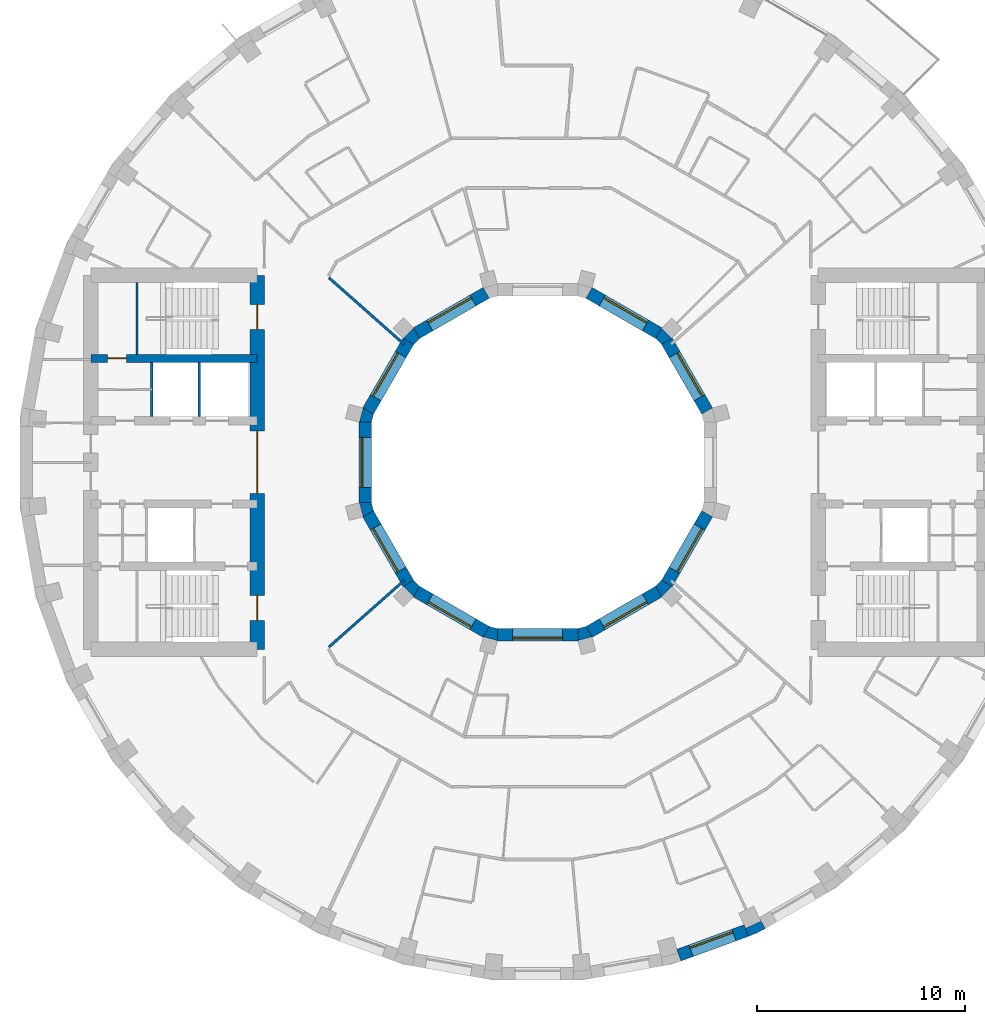
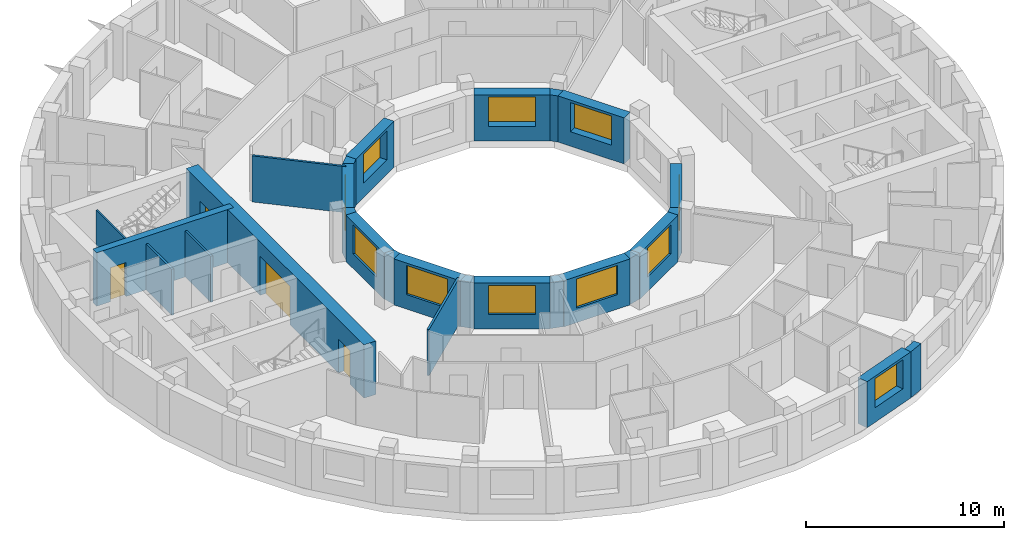
# One storey, part 6 of 13: 27 walls, 11 windows, 4 doors, 15 openings.
"""IFC4 building model written with IfcOpenShell, lengths in metres."""

from ifc_helpers import new_model, si_unit, direction, frame, frame_2d, origin, place, context, subcontext, project, spatial, polyline, rectangle, outline, extrude, material, layer, layer_set, type_object, element, fill, save


model = new_model("IFC4")

# Units and contexts
model_context = context("Model", 3, precision=1e-05, world=origin(), true_north=direction((0.0, 1.0)))
body_context = subcontext(model_context, "Body", "Model", "MODEL_VIEW")
ifc_project = project(units=[si_unit("LENGTHUNIT", "METRE"), si_unit("AREAUNIT", "SQUARE_METRE"), si_unit("VOLUMEUNIT", "CUBIC_METRE"), si_unit("PLANEANGLEUNIT", "RADIAN"), si_unit("MASSUNIT", "GRAM", prefix="KILO")], contexts=[model_context])

# Site, building, storey
site_placement = place(None, origin())
site = spatial("IfcSite", under=ifc_project, at=site_placement, CompositionType="ELEMENT")
building_placement = place(site_placement, origin())
building = spatial("IfcBuilding", under=site, at=building_placement, Name="Saqina Gate Tower", CompositionType="ELEMENT")
storey_placement = place(building_placement, frame((0.0, 0.0, 207.0)))
storey = spatial("IfcBuildingStorey", under=building, at=storey_placement, Name="L59", CompositionType="ELEMENT", Elevation=207.0)

# Wall
ifc_material_1 = material(Name="Brick masonry (buff)", Category="masonry")
wall_type_1 = type_object("IfcWallType", Name="BRICK PIER COPING BUFF", PredefinedType="SOLIDWALL", material=ifc_material_1)
wall_1_placement = place(storey_placement, origin())
element("IfcWall", 1, at=wall_1_placement, inside=storey, type_object=wall_type_1, Name="Pier cap L59 column 30", PredefinedType="SOLIDWALL", context=body_context, shape_type="SweptSolid", body=[
    extrude(outline(polyline([(10.958740234375, -22.4306640625), (10.65869140625, -21.9111328125), (10.73779296875, -22.080810546875), (10.0126953125, -22.4189453125), (9.93359375, -22.249267578125), (10.138916015625, -22.81298828125), (10.958740234375, -22.4306640625)])), origin(), (0.0, 0.0, 1.0), 2.85009765625),
])

# Wall, opening, window
ifc_material_2 = material(Name="Brick masonry (buff)", Category="masonry")
ifc_layer_1 = layer(ifc_material_2, 0.60009765625)
ifc_layer_set_1 = layer_set([ifc_layer_1], Name="FW-BRICK-BUFF")
wall_type_2 = type_object("IfcWallType", Name="FW-BRICK-BUFF", PredefinedType="SOLIDWALL", material=ifc_layer_set_1)
wall_2_placement = place(storey_placement, frame((6.79443359375, -23.7109375, 0.0), z_axis=(0.0, 0.0, 1.0), x_axis=(0.93968799822, 0.342032843455, 0.0)))
wall_2 = element("IfcWall", 2, at=wall_2_placement, inside=storey, type_object=wall_type_2, Name="Facade wall L59 facet 29", PredefinedType="SOLIDWALL", context=body_context, shape_type="SweptSolid", body=[
    extrude(rectangle(XDim=3.44970703125, YDim=0.60009765625, at=frame_2d((1.724853515625, 0.0))), origin(), (0.0, 0.0, 1.0), 2.85009765625),
])
opening_1_placement = place(wall_2_placement, frame((0.625, 0.0, 0.89990234375)))
opening_1 = element("IfcOpeningElement", 3, at=opening_1_placement, cuts=wall_2, Name="Opening G17-W18", PredefinedType="OPENING", context=body_context, shape_type="SweptSolid", body=[
    extrude(rectangle(XDim=2.199951171875, YDim=1.800048828125, at=frame_2d((1.10009765625, 0.89990234375))), frame((0.0, 0.31201171875, 0.0), z_axis=(0.0, -1.0, 0.0), x_axis=(1.0, 0.0, 0.0)), (0.0, 0.0, 1.0), 0.6240234375),
])
ifc_material_3 = material(Name="Aluminium glazing", Category="aluminium")
window_type_1 = type_object("IfcWindowType", Name="WN-C", PartitioningType="SINGLE_PANEL", PredefinedType="WINDOW", material=ifc_material_3)
window_1_placement = place(opening_1_placement, origin())
window_1 = element("IfcWindow", 4, at=window_1_placement, inside=storey, type_object=window_type_1, Name="Window L59 facet 29", OverallHeight=1.800048828125, OverallWidth=2.199951171875, PartitioningType="SINGLE_PANEL", PredefinedType="WINDOW", context=body_context, shape_type="SweptSolid", body=[
    extrude(rectangle(XDim=2.199951171875, YDim=1.800048828125, at=frame_2d((1.10009765625, 0.89990234375))), frame((0.0, 0.179931640625, 0.0), z_axis=(0.0, -1.0, 0.0), x_axis=(1.0, 0.0, 0.0)), (0.0, 0.0, 1.0), 0.06005859375),
])
fill(opening_1, window_1)

ifc_material_4 = material(Name="Glazed ceramic tile", Category="ceramic")
ifc_layer_2 = layer(ifc_material_4, 0.60009765625)
ifc_layer_set_2 = layer_set([ifc_layer_2], Name="IW-TILE")
wall_type_3 = type_object("IfcWallType", Name="IW-TILE", PredefinedType="SOLIDWALL", material=ifc_layer_set_2)
wall_3_placement = place(storey_placement, frame((8.155517578125, 2.474365234375, 0.0), z_axis=(0.0, 0.0, 1.0), x_axis=(-0.500033728941, 0.866005929495, 0.0)))
wall_3 = element("IfcWall", 5, at=wall_3_placement, inside=storey, type_object=wall_type_3, Name="Well wall L59 facet 1", PredefinedType="SOLIDWALL", context=body_context, shape_type="SweptSolid", body=[
    extrude(rectangle(XDim=3.869873046875, YDim=0.60009765625, at=frame_2d((1.93505859375, 0.0))), origin(), (0.0, 0.0, 1.0), 2.85009765625),
])
opening_2_placement = place(wall_3_placement, frame((0.73486328125, 0.0, 0.89990234375)))
opening_2 = element("IfcOpeningElement", 6, at=opening_2_placement, cuts=wall_3, Name="Opening G17-W23", PredefinedType="OPENING", context=body_context, shape_type="SweptSolid", body=[
    extrude(rectangle(XDim=2.39990234375, YDim=1.800048828125, at=frame_2d((1.199951171875, 0.89990234375))), frame((0.0, 0.31201171875, 0.0), z_axis=(0.0, -1.0, 0.0), x_axis=(1.0, 0.0, 0.0)), (0.0, 0.0, 1.0), 0.6240234375),
])
ifc_material_5 = material(Name="Aluminium glazing", Category="aluminium")
window_type_2 = type_object("IfcWindowType", Name="WN-W", PartitioningType="SINGLE_PANEL", PredefinedType="WINDOW", material=ifc_material_5)
window_2_placement = place(opening_2_placement, origin())
window_2 = element("IfcWindow", 7, at=window_2_placement, inside=storey, type_object=window_type_2, Name="Well window L59 facet 1", OverallHeight=1.800048828125, OverallWidth=2.39990234375, PartitioningType="SINGLE_PANEL", PredefinedType="WINDOW", context=body_context, shape_type="SweptSolid", body=[
    extrude(rectangle(XDim=2.39990234375, YDim=1.800048828125, at=frame_2d((1.199951171875, 0.89990234375))), frame((0.0, -0.119873046875, 0.0), z_axis=(0.0, -1.0, 0.0), x_axis=(1.0, 0.0, 0.0)), (0.0, 0.0, 1.0), 0.06005859375),
])
fill(opening_2, window_2)

wall_4_placement = place(storey_placement, frame((5.82568359375, 6.220458984375, 0.0), z_axis=(0.0, 0.0, 1.0), x_axis=(-0.866005929495, 0.500033728941, 0.0)))
wall_4 = element("IfcWall", 8, at=wall_4_placement, inside=storey, type_object=wall_type_3, Name="Well wall L59 facet 2", PredefinedType="SOLIDWALL", context=body_context, shape_type="SweptSolid", body=[
    extrude(rectangle(XDim=3.869873046875, YDim=0.60009765625, at=frame_2d((1.93505859375, 0.0))), origin(), (0.0, 0.0, 1.0), 2.85009765625),
])
opening_3_placement = place(wall_4_placement, frame((0.73486328125, 0.0, 0.89990234375)))
opening_3 = element("IfcOpeningElement", 9, at=opening_3_placement, cuts=wall_4, Name="Opening G17-W24", PredefinedType="OPENING", context=body_context, shape_type="SweptSolid", body=[
    extrude(rectangle(XDim=2.39990234375, YDim=1.800048828125, at=frame_2d((1.199951171875, 0.89990234375))), frame((0.0, 0.31201171875, 0.0), z_axis=(0.0, -1.0, 0.0), x_axis=(1.0, 0.0, 0.0)), (0.0, 0.0, 1.0), 0.6240234375),
])
window_3_placement = place(opening_3_placement, origin())
window_3 = element("IfcWindow", 10, at=window_3_placement, inside=storey, type_object=window_type_2, Name="Well window L59 facet 2", OverallHeight=1.800048828125, OverallWidth=2.39990234375, PartitioningType="SINGLE_PANEL", PredefinedType="WINDOW", context=body_context, shape_type="SweptSolid", body=[
    extrude(rectangle(XDim=2.39990234375, YDim=1.800048828125, at=frame_2d((1.199951171875, 0.89990234375))), frame((0.0, -0.119873046875, 0.0), z_axis=(0.0, -1.0, 0.0), x_axis=(1.0, 0.0, 0.0)), (0.0, 0.0, 1.0), 0.06005859375),
])
fill(opening_3, window_3)

wall_5_placement = place(storey_placement, frame((-2.474365234375, 8.155517578125, 0.0), z_axis=(0.0, 0.0, 1.0), x_axis=(-0.866005929495, -0.500033728941, 0.0)))
wall_5 = element("IfcWall", 11, at=wall_5_placement, inside=storey, type_object=wall_type_3, Name="Well wall L59 facet 4", PredefinedType="SOLIDWALL", context=body_context, shape_type="SweptSolid", body=[
    extrude(rectangle(XDim=3.869873046875, YDim=0.60009765625, at=frame_2d((1.93505859375, 0.0))), origin(), (0.0, 0.0, 1.0), 2.85009765625),
])
opening_4_placement = place(wall_5_placement, frame((0.73486328125, 0.0, 0.89990234375)))
opening_4 = element("IfcOpeningElement", 12, at=opening_4_placement, cuts=wall_5, Name="Opening G17-W26", PredefinedType="OPENING", context=body_context, shape_type="SweptSolid", body=[
    extrude(rectangle(XDim=2.39990234375, YDim=1.800048828125, at=frame_2d((1.199951171875, 0.89990234375))), frame((0.0, 0.31201171875, 0.0), z_axis=(0.0, -1.0, 0.0), x_axis=(1.0, 0.0, 0.0)), (0.0, 0.0, 1.0), 0.6240234375),
])
window_4_placement = place(opening_4_placement, origin())
window_4 = element("IfcWindow", 13, at=window_4_placement, inside=storey, type_object=window_type_2, Name="Well window L59 facet 4", OverallHeight=1.800048828125, OverallWidth=2.39990234375, PartitioningType="SINGLE_PANEL", PredefinedType="WINDOW", context=body_context, shape_type="SweptSolid", body=[
    extrude(rectangle(XDim=2.39990234375, YDim=1.800048828125, at=frame_2d((1.199951171875, 0.89990234375))), frame((0.0, -0.119873046875, 0.0), z_axis=(0.0, -1.0, 0.0), x_axis=(1.0, 0.0, 0.0)), (0.0, 0.0, 1.0), 0.06005859375),
])
fill(opening_4, window_4)

wall_6_placement = place(storey_placement, frame((-6.220458984375, 5.82568359375, 0.0), z_axis=(0.0, 0.0, 1.0), x_axis=(-0.500033728941, -0.866005929495, 0.0)))
wall_6 = element("IfcWall", 14, at=wall_6_placement, inside=storey, type_object=wall_type_3, Name="Well wall L59 facet 5", PredefinedType="SOLIDWALL", context=body_context, shape_type="SweptSolid", body=[
    extrude(rectangle(XDim=3.869873046875, YDim=0.60009765625, at=frame_2d((1.93505859375, 0.0))), origin(), (0.0, 0.0, 1.0), 2.85009765625),
])
opening_5_placement = place(wall_6_placement, frame((0.73486328125, 0.0, 0.89990234375)))
opening_5 = element("IfcOpeningElement", 15, at=opening_5_placement, cuts=wall_6, Name="Opening G17-W27", PredefinedType="OPENING", context=body_context, shape_type="SweptSolid", body=[
    extrude(rectangle(XDim=2.39990234375, YDim=1.800048828125, at=frame_2d((1.199951171875, 0.89990234375))), frame((0.0, 0.31201171875, 0.0), z_axis=(0.0, -1.0, 0.0), x_axis=(1.0, 0.0, 0.0)), (0.0, 0.0, 1.0), 0.6240234375),
])
window_5_placement = place(opening_5_placement, origin())
window_5 = element("IfcWindow", 16, at=window_5_placement, inside=storey, type_object=window_type_2, Name="Well window L59 facet 5", OverallHeight=1.800048828125, OverallWidth=2.39990234375, PartitioningType="SINGLE_PANEL", PredefinedType="WINDOW", context=body_context, shape_type="SweptSolid", body=[
    extrude(rectangle(XDim=2.39990234375, YDim=1.800048828125, at=frame_2d((1.199951171875, 0.89990234375))), frame((0.0, -0.119873046875, 0.0), z_axis=(0.0, -1.0, 0.0), x_axis=(1.0, 0.0, 0.0)), (0.0, 0.0, 1.0), 0.06005859375),
])
fill(opening_5, window_5)

wall_7_placement = place(storey_placement, frame((-8.300048828125, 1.934814453125, 0.0), z_axis=(0.0, 0.0, 1.0), x_axis=(0.0, -1.0, 0.0)))
wall_7 = element("IfcWall", 17, at=wall_7_placement, inside=storey, type_object=wall_type_3, Name="Well wall L59 facet 6", PredefinedType="SOLIDWALL", context=body_context, shape_type="SweptSolid", body=[
    extrude(rectangle(XDim=3.86962890625, YDim=0.60009765625, at=frame_2d((1.934814453125, 0.0))), origin(), (0.0, 0.0, 1.0), 2.85009765625),
])
opening_6_placement = place(wall_7_placement, frame((0.73486328125, 0.0, 0.89990234375)))
opening_6 = element("IfcOpeningElement", 18, at=opening_6_placement, cuts=wall_7, Name="Opening G17-W28", PredefinedType="OPENING", context=body_context, shape_type="SweptSolid", body=[
    extrude(rectangle(XDim=2.39990234375, YDim=1.800048828125, at=frame_2d((1.199951171875, 0.89990234375))), frame((0.0, 0.31201171875, 0.0), z_axis=(0.0, -1.0, 0.0), x_axis=(1.0, 0.0, 0.0)), (0.0, 0.0, 1.0), 0.6240234375),
])
window_6_placement = place(opening_6_placement, origin())
window_6 = element("IfcWindow", 19, at=window_6_placement, inside=storey, type_object=window_type_2, Name="Well window L59 facet 6", OverallHeight=1.800048828125, OverallWidth=2.39990234375, PartitioningType="SINGLE_PANEL", PredefinedType="WINDOW", context=body_context, shape_type="SweptSolid", body=[
    extrude(rectangle(XDim=2.39990234375, YDim=1.800048828125, at=frame_2d((1.199951171875, 0.89990234375))), frame((0.0, -0.119873046875, 0.0), z_axis=(0.0, -1.0, 0.0), x_axis=(1.0, 0.0, 0.0)), (0.0, 0.0, 1.0), 0.06005859375),
])
fill(opening_6, window_6)

wall_8_placement = place(storey_placement, frame((-8.155517578125, -2.474365234375, 0.0), z_axis=(0.0, 0.0, 1.0), x_axis=(0.500033728941, -0.866005929495, 0.0)))
wall_8 = element("IfcWall", 20, at=wall_8_placement, inside=storey, type_object=wall_type_3, Name="Well wall L59 facet 7", PredefinedType="SOLIDWALL", context=body_context, shape_type="SweptSolid", body=[
    extrude(rectangle(XDim=3.869873046875, YDim=0.60009765625, at=frame_2d((1.93505859375, 0.0))), origin(), (0.0, 0.0, 1.0), 2.85009765625),
])
opening_7_placement = place(wall_8_placement, frame((0.73486328125, 0.0, 0.89990234375)))
opening_7 = element("IfcOpeningElement", 21, at=opening_7_placement, cuts=wall_8, Name="Opening G17-W29", PredefinedType="OPENING", context=body_context, shape_type="SweptSolid", body=[
    extrude(rectangle(XDim=2.39990234375, YDim=1.800048828125, at=frame_2d((1.199951171875, 0.89990234375))), frame((0.0, 0.31201171875, 0.0), z_axis=(0.0, -1.0, 0.0), x_axis=(1.0, 0.0, 0.0)), (0.0, 0.0, 1.0), 0.6240234375),
])
window_7_placement = place(opening_7_placement, origin())
window_7 = element("IfcWindow", 22, at=window_7_placement, inside=storey, type_object=window_type_2, Name="Well window L59 facet 7", OverallHeight=1.800048828125, OverallWidth=2.39990234375, PartitioningType="SINGLE_PANEL", PredefinedType="WINDOW", context=body_context, shape_type="SweptSolid", body=[
    extrude(rectangle(XDim=2.39990234375, YDim=1.800048828125, at=frame_2d((1.199951171875, 0.89990234375))), frame((0.0, -0.119873046875, 0.0), z_axis=(0.0, -1.0, 0.0), x_axis=(1.0, 0.0, 0.0)), (0.0, 0.0, 1.0), 0.06005859375),
])
fill(opening_7, window_7)

wall_9_placement = place(storey_placement, frame((-5.82568359375, -6.220458984375, 0.0), z_axis=(0.0, 0.0, 1.0), x_axis=(0.866005929495, -0.500033728941, 0.0)))
wall_9 = element("IfcWall", 23, at=wall_9_placement, inside=storey, type_object=wall_type_3, Name="Well wall L59 facet 8", PredefinedType="SOLIDWALL", context=body_context, shape_type="SweptSolid", body=[
    extrude(rectangle(XDim=3.869873046875, YDim=0.60009765625, at=frame_2d((1.93505859375, 0.0))), origin(), (0.0, 0.0, 1.0), 2.85009765625),
])
opening_8_placement = place(wall_9_placement, frame((0.73486328125, 0.0, 0.89990234375)))
opening_8 = element("IfcOpeningElement", 24, at=opening_8_placement, cuts=wall_9, Name="Opening G17-W30", PredefinedType="OPENING", context=body_context, shape_type="SweptSolid", body=[
    extrude(rectangle(XDim=2.39990234375, YDim=1.800048828125, at=frame_2d((1.199951171875, 0.89990234375))), frame((0.0, 0.31201171875, 0.0), z_axis=(0.0, -1.0, 0.0), x_axis=(1.0, 0.0, 0.0)), (0.0, 0.0, 1.0), 0.6240234375),
])
window_8_placement = place(opening_8_placement, origin())
window_8 = element("IfcWindow", 25, at=window_8_placement, inside=storey, type_object=window_type_2, Name="Well window L59 facet 8", OverallHeight=1.800048828125, OverallWidth=2.39990234375, PartitioningType="SINGLE_PANEL", PredefinedType="WINDOW", context=body_context, shape_type="SweptSolid", body=[
    extrude(rectangle(XDim=2.39990234375, YDim=1.800048828125, at=frame_2d((1.199951171875, 0.89990234375))), frame((0.0, -0.119873046875, 0.0), z_axis=(0.0, -1.0, 0.0), x_axis=(1.0, 0.0, 0.0)), (0.0, 0.0, 1.0), 0.06005859375),
])
fill(opening_8, window_8)

wall_10_placement = place(storey_placement, frame((-1.934814453125, -8.300048828125, 0.0), z_axis=(0.0, 0.0, 1.0), x_axis=(1.0, 0.0, 0.0)))
wall_10 = element("IfcWall", 26, at=wall_10_placement, inside=storey, type_object=wall_type_3, Name="Well wall L59 facet 9", PredefinedType="SOLIDWALL", context=body_context, shape_type="SweptSolid", body=[
    extrude(rectangle(XDim=3.86962890625, YDim=0.60009765625, at=frame_2d((1.934814453125, 0.0))), origin(), (0.0, 0.0, 1.0), 2.85009765625),
])
opening_9_placement = place(wall_10_placement, frame((0.73486328125, 0.0, 0.89990234375)))
opening_9 = element("IfcOpeningElement", 27, at=opening_9_placement, cuts=wall_10, Name="Opening G17-W31", PredefinedType="OPENING", context=body_context, shape_type="SweptSolid", body=[
    extrude(rectangle(XDim=2.39990234375, YDim=1.800048828125, at=frame_2d((1.199951171875, 0.89990234375))), frame((0.0, 0.31201171875, 0.0), z_axis=(0.0, -1.0, 0.0), x_axis=(1.0, 0.0, 0.0)), (0.0, 0.0, 1.0), 0.6240234375),
])
window_9_placement = place(opening_9_placement, origin())
window_9 = element("IfcWindow", 28, at=window_9_placement, inside=storey, type_object=window_type_2, Name="Well window L59 facet 9", OverallHeight=1.800048828125, OverallWidth=2.39990234375, PartitioningType="SINGLE_PANEL", PredefinedType="WINDOW", context=body_context, shape_type="SweptSolid", body=[
    extrude(rectangle(XDim=2.39990234375, YDim=1.800048828125, at=frame_2d((1.199951171875, 0.89990234375))), frame((0.0, -0.119873046875, 0.0), z_axis=(0.0, -1.0, 0.0), x_axis=(1.0, 0.0, 0.0)), (0.0, 0.0, 1.0), 0.06005859375),
])
fill(opening_9, window_9)

wall_11_placement = place(storey_placement, frame((2.474365234375, -8.155517578125, 0.0), z_axis=(0.0, 0.0, 1.0), x_axis=(0.866005929495, 0.500033728941, 0.0)))
wall_11 = element("IfcWall", 29, at=wall_11_placement, inside=storey, type_object=wall_type_3, Name="Well wall L59 facet 10", PredefinedType="SOLIDWALL", context=body_context, shape_type="SweptSolid", body=[
    extrude(rectangle(XDim=3.869873046875, YDim=0.60009765625, at=frame_2d((1.93505859375, 0.0))), origin(), (0.0, 0.0, 1.0), 2.85009765625),
])
opening_10_placement = place(wall_11_placement, frame((0.73486328125, 0.0, 0.89990234375)))
opening_10 = element("IfcOpeningElement", 30, at=opening_10_placement, cuts=wall_11, Name="Opening G17-W32", PredefinedType="OPENING", context=body_context, shape_type="SweptSolid", body=[
    extrude(rectangle(XDim=2.39990234375, YDim=1.800048828125, at=frame_2d((1.199951171875, 0.89990234375))), frame((0.0, 0.31201171875, 0.0), z_axis=(0.0, -1.0, 0.0), x_axis=(1.0, 0.0, 0.0)), (0.0, 0.0, 1.0), 0.6240234375),
])
window_10_placement = place(opening_10_placement, origin())
window_10 = element("IfcWindow", 31, at=window_10_placement, inside=storey, type_object=window_type_2, Name="Well window L59 facet 10", OverallHeight=1.800048828125, OverallWidth=2.39990234375, PartitioningType="SINGLE_PANEL", PredefinedType="WINDOW", context=body_context, shape_type="SweptSolid", body=[
    extrude(rectangle(XDim=2.39990234375, YDim=1.800048828125, at=frame_2d((1.199951171875, 0.89990234375))), frame((0.0, -0.119873046875, 0.0), z_axis=(0.0, -1.0, 0.0), x_axis=(1.0, 0.0, 0.0)), (0.0, 0.0, 1.0), 0.06005859375),
])
fill(opening_10, window_10)

wall_12_placement = place(storey_placement, frame((6.220458984375, -5.82568359375, 0.0), z_axis=(0.0, 0.0, 1.0), x_axis=(0.500033728941, 0.866005929495, 0.0)))
wall_12 = element("IfcWall", 32, at=wall_12_placement, inside=storey, type_object=wall_type_3, Name="Well wall L59 facet 11", PredefinedType="SOLIDWALL", context=body_context, shape_type="SweptSolid", body=[
    extrude(rectangle(XDim=3.869873046875, YDim=0.60009765625, at=frame_2d((1.93505859375, 0.0))), origin(), (0.0, 0.0, 1.0), 2.85009765625),
])
opening_11_placement = place(wall_12_placement, frame((0.73486328125, 0.0, 0.89990234375)))
opening_11 = element("IfcOpeningElement", 33, at=opening_11_placement, cuts=wall_12, Name="Opening G17-W33", PredefinedType="OPENING", context=body_context, shape_type="SweptSolid", body=[
    extrude(rectangle(XDim=2.39990234375, YDim=1.800048828125, at=frame_2d((1.199951171875, 0.89990234375))), frame((0.0, 0.31201171875, 0.0), z_axis=(0.0, -1.0, 0.0), x_axis=(1.0, 0.0, 0.0)), (0.0, 0.0, 1.0), 0.6240234375),
])
window_11_placement = place(opening_11_placement, origin())
window_11 = element("IfcWindow", 34, at=window_11_placement, inside=storey, type_object=window_type_2, Name="Well window L59 facet 11", OverallHeight=1.800048828125, OverallWidth=2.39990234375, PartitioningType="SINGLE_PANEL", PredefinedType="WINDOW", context=body_context, shape_type="SweptSolid", body=[
    extrude(rectangle(XDim=2.39990234375, YDim=1.800048828125, at=frame_2d((1.199951171875, 0.89990234375))), frame((0.0, -0.119873046875, 0.0), z_axis=(0.0, -1.0, 0.0), x_axis=(1.0, 0.0, 0.0)), (0.0, 0.0, 1.0), 0.06005859375),
])
fill(opening_11, window_11)

# Walls
ifc_material_6 = material(Name="Gypsum board on steel studs, 125 mm, fire rated", Category="steel")
ifc_layer_3 = layer(ifc_material_6, 0.125)
ifc_layer_set_3 = layer_set([ifc_layer_3], Name="PARTITION EI 30 125")
wall_type_4 = type_object("IfcWallType", Name="PARTITION EI 30 125", PredefinedType="PARTITIONING", material=ifc_layer_set_3)
for number, where, z_axis, x_axis, name in (
    (35, (-10.0439453125, 8.885986328125, 0.0), (0.0, 0.0, 1.0), (0.748977300745, -0.662595655712, 0.0), "PARTITION PW1-11"),
    (36, (-10.0439453125, -8.885986328125, 0.0), (0.0, 0.0, 1.0), (0.748977300745, 0.662595655712, 0.0), "PARTITION PW1-37"),
):
    element("IfcWall", number, at=place(storey_placement, frame(where, z_axis=z_axis, x_axis=x_axis)), inside=storey, type_object=wall_type_4, Name=name, PredefinedType="PARTITIONING", context=body_context, shape_type="SweptSolid", body=[
        extrude(rectangle(XDim=4.838623046875, YDim=0.125, at=frame_2d((2.41943359375, 0.0))), origin(), (0.0, 0.0, 1.0), 2.85009765625),
    ])
ifc_material_7 = material(Name="Autoclaved aerated concrete block", Category="concrete")
ifc_layer_4 = layer(ifc_material_7, 0.1201171875)
ifc_layer_set_4 = layer_set([ifc_layer_4], Name="SHAFT PARTITION")
wall_type_5 = type_object("IfcWallType", Name="SHAFT PARTITION", PredefinedType="PARTITIONING", material=ifc_layer_set_4)
for number, where, z_axis, x_axis, name in (
    (37, (-16.280029296875, 2.199951171875, 0.0), (0.0, 0.0, 1.0), (0.0, 1.0, 0.0), "L59-CP-W05"),
    (38, (-18.56005859375, 2.199951171875, 0.0), (0.0, 0.0, 1.0), (0.0, 1.0, 0.0), "L59-CP-W06"),
):
    element("IfcWall", number, at=place(storey_placement, frame(where, z_axis=z_axis, x_axis=x_axis)), inside=storey, type_object=wall_type_5, Name=name, PredefinedType="PARTITIONING", context=body_context, shape_type="SweptSolid", body=[
        extrude(rectangle(XDim=2.60009765625, YDim=0.1201171875, at=frame_2d((1.300048828125, 0.0))), origin(), (0.0, 0.0, 1.0), 2.85009765625),
    ])
ifc_material_8 = material(Name="Autoclaved aerated concrete block", Category="concrete")
ifc_layer_5 = layer(ifc_material_8, 0.10009765625)
ifc_layer_set_5 = layer_set([ifc_layer_5], Name="STAIR ENCLOSURE WALL")
wall_type_6 = type_object("IfcWallType", Name="STAIR ENCLOSURE WALL", PredefinedType="PARTITIONING", material=ifc_layer_set_5)
wall_13_placement = place(storey_placement, frame((-19.27001953125, 5.199951171875, 0.0), z_axis=(0.0, 0.0, 1.0), x_axis=(0.0, 1.0, 0.0)))
element("IfcWall", 39, at=wall_13_placement, inside=storey, type_object=wall_type_6, Name="L59-CP-W13", PredefinedType="PARTITIONING", context=body_context, shape_type="SweptSolid", body=[
    extrude(rectangle(XDim=3.449951171875, YDim=0.10009765625, at=frame_2d((1.72509765625, 0.0))), origin(), (0.0, 0.0, 1.0), 2.85009765625),
])

# Wall, opening, door
ifc_material_9 = material(Name="Concrete C60/75", Category="concrete")
ifc_layer_6 = layer(ifc_material_9, 0.39990234375)
ifc_layer_set_6 = layer_set([ifc_layer_6], Name="Concrete C60/75")
wall_type_7 = type_object("IfcWallType", Name="STR-CORE WALL-C-I", PredefinedType="SHEAR", material=ifc_layer_set_6)
wall_14_placement = place(storey_placement, frame((-13.5, 5.0, 0.0), z_axis=(0.0, 0.0, 1.0), x_axis=(-1.0, 0.0, 0.0)))
wall_14 = element("IfcWall", 40, at=wall_14_placement, inside=storey, type_object=wall_type_7, Name="CORE WALL L59 W-X1", PredefinedType="SHEAR", context=body_context, shape_type="SweptSolid", body=[
    extrude(rectangle(XDim=8.0, YDim=0.39990234375, at=frame_2d((4.0, 0.0))), origin(), (0.0, 0.0, 1.0), 3.300048828125),
])
opening_12_placement = place(wall_14_placement, frame((6.284912109375, 0.0, 0.0)))
opening_12 = element("IfcOpeningElement", 41, at=opening_12_placement, cuts=wall_14, Name="Opening G17-D114", PredefinedType="OPENING", context=body_context, shape_type="SweptSolid", body=[
    extrude(rectangle(XDim=0.89990234375, YDim=2.10009765625, at=frame_2d((0.449951171875, 1.050048828125))), frame((0.0, 0.2119140625, 0.0), z_axis=(0.0, -1.0, 0.0), x_axis=(1.0, 0.0, 0.0)), (0.0, 0.0, 1.0), 0.423828125),
])
ifc_material_10 = material(Name="Steel-framed fire door leaf, EI 60", Category="steel")
door_type_1 = type_object("IfcDoorType", Name="SERVICE ROOM DOOR 900", OperationType="SINGLE_SWING_LEFT", PredefinedType="DOOR", material=ifc_material_10)
door_1_placement = place(opening_12_placement, frame((0.89990234375, 0.0, 0.0), z_axis=(0.0, 0.0, 1.0), x_axis=(-1.0, 0.0, 0.0)))
door_1 = element("IfcDoor", 42, at=door_1_placement, inside=storey, type_object=door_type_1, Name="L59-CD-W25", OperationType="SINGLE_SWING_LEFT", OverallHeight=2.10009765625, OverallWidth=0.89990234375, PredefinedType="DOOR", context=body_context, shape_type="SweptSolid", body=[
    extrude(rectangle(XDim=0.89990234375, YDim=2.10009765625, at=frame_2d((0.449951171875, 1.050048828125))), frame((0.0, 0.02490234375, 0.0), z_axis=(0.0, -1.0, 0.0), x_axis=(1.0, 0.0, 0.0)), (0.0, 0.0, 1.0), 0.050048828125),
])
fill(opening_12, door_1)

# Wall, openings, doors
ifc_material_11 = material(Name="Concrete C60/75", Category="concrete")
ifc_layer_7 = layer(ifc_material_11, 0.699951171875)
ifc_layer_set_7 = layer_set([ifc_layer_7], Name="Concrete C60/75")
wall_type_8 = type_object("IfcWallType", Name="STR-CORE WALL-C-O", PredefinedType="SHEAR", material=ifc_layer_set_7)
wall_15_placement = place(storey_placement, frame((-13.5, -9.0, 0.0), z_axis=(0.0, 0.0, 1.0), x_axis=(0.0, 1.0, 0.0)))
wall_15 = element("IfcWall", 43, at=wall_15_placement, inside=storey, type_object=wall_type_8, Name="CORE WALL L59 W-W1", PredefinedType="SHEAR", context=body_context, shape_type="SweptSolid", body=[
    extrude(rectangle(XDim=18.0, YDim=0.699951171875, at=frame_2d((9.0, 0.0))), origin(), (0.0, 0.0, 1.0), 3.300048828125),
])
opening_13_placement = place(wall_15_placement, frame((15.39990234375, 0.0, 0.0)))
opening_13 = element("IfcOpeningElement", 44, at=opening_13_placement, cuts=wall_15, Name="Opening G17-D119", PredefinedType="OPENING", context=body_context, shape_type="SweptSolid", body=[
    extrude(rectangle(XDim=1.199951171875, YDim=2.10009765625, at=frame_2d((0.60009765625, 1.050048828125))), frame((0.0, 0.362060546875, 0.0), z_axis=(0.0, -1.0, 0.0), x_axis=(1.0, 0.0, 0.0)), (0.0, 0.0, 1.0), 0.723876953125),
])
opening_14_placement = place(wall_15_placement, frame((1.39990234375, 0.0, 0.0)))
opening_14 = element("IfcOpeningElement", 45, at=opening_14_placement, cuts=wall_15, Name="Opening G17-D120", PredefinedType="OPENING", context=body_context, shape_type="SweptSolid", body=[
    extrude(rectangle(XDim=1.199951171875, YDim=2.10009765625, at=frame_2d((0.60009765625, 1.050048828125))), frame((0.0, 0.362060546875, 0.0), z_axis=(0.0, -1.0, 0.0), x_axis=(1.0, 0.0, 0.0)), (0.0, 0.0, 1.0), 0.723876953125),
])
opening_15_placement = place(wall_15_placement, frame((7.5, 0.0, 0.0)))
opening_15 = element("IfcOpeningElement", 46, at=opening_15_placement, cuts=wall_15, Name="Opening G17-D121", PredefinedType="OPENING", context=body_context, shape_type="SweptSolid", body=[
    extrude(rectangle(XDim=3.0, YDim=2.39990234375, at=frame_2d((1.5, 1.199951171875))), frame((0.0, 0.362060546875, 0.0), z_axis=(0.0, -1.0, 0.0), x_axis=(1.0, 0.0, 0.0)), (0.0, 0.0, 1.0), 0.723876953125),
])
ifc_material_12 = material(Name="Steel", Category="steel")
door_type_2 = type_object("IfcDoorType", Name="FIRE DOOR EI 60", OperationType="SINGLE_SWING_LEFT", PredefinedType="DOOR", material=ifc_material_12)
door_2_placement = place(opening_13_placement, origin())
door_2 = element("IfcDoor", 47, at=door_2_placement, inside=storey, type_object=door_type_2, Name="L59-CD-W30", OperationType="SINGLE_SWING_RIGHT", OverallHeight=2.10009765625, OverallWidth=1.199951171875, PredefinedType="DOOR", context=body_context, shape_type="SweptSolid", body=[
    extrude(rectangle(XDim=1.199951171875, YDim=2.10009765625, at=frame_2d((0.60009765625, 1.050048828125))), frame((0.0, 0.02490234375, 0.0), z_axis=(0.0, -1.0, 0.0), x_axis=(1.0, 0.0, 0.0)), (0.0, 0.0, 1.0), 0.050048828125),
])
fill(opening_13, door_2)
door_3_placement = place(opening_14_placement, origin())
door_3 = element("IfcDoor", 48, at=door_3_placement, inside=storey, type_object=door_type_2, Name="L59-CD-W31", OperationType="SINGLE_SWING_LEFT", OverallHeight=2.10009765625, OverallWidth=1.199951171875, PredefinedType="DOOR", context=body_context, shape_type="SweptSolid", body=[
    extrude(rectangle(XDim=1.199951171875, YDim=2.10009765625, at=frame_2d((0.60009765625, 1.050048828125))), frame((0.0, 0.02490234375, 0.0), z_axis=(0.0, -1.0, 0.0), x_axis=(1.0, 0.0, 0.0)), (0.0, 0.0, 1.0), 0.050048828125),
])
fill(opening_14, door_3)
ifc_material_13 = material(Name="Steel and fire-resisting glass", Category="steel")
door_type_3 = type_object("IfcDoorType", Name="LOBBY SCREEN DOOR", OperationType="DOUBLE_DOOR_SLIDING", PredefinedType="DOOR", material=ifc_material_13)
door_4_placement = place(opening_15_placement, origin())
door_4 = element("IfcDoor", 49, at=door_4_placement, inside=storey, type_object=door_type_3, Name="L59-CD-W32", OperationType="DOUBLE_DOOR_SLIDING", OverallHeight=2.39990234375, OverallWidth=3.0, PredefinedType="DOOR", context=body_context, shape_type="SweptSolid", body=[
    extrude(rectangle(XDim=3.0, YDim=2.39990234375, at=frame_2d((1.5, 1.199951171875))), frame((0.0, 0.02490234375, 0.0), z_axis=(0.0, -1.0, 0.0), x_axis=(1.0, 0.0, 0.0)), (0.0, 0.0, 1.0), 0.050048828125),
])
fill(opening_15, door_4)

# Walls
ifc_material_14 = material(Name="Glazed ceramic tile", Category="ceramic")
wall_type_9 = type_object("IfcWallType", Name="TILE PIER COPING", PredefinedType="SOLIDWALL", material=ifc_material_14)
wall_16_placement = place(storey_placement, origin())
element("IfcWall", 50, at=wall_16_placement, inside=storey, type_object=wall_type_9, Name="Well pier cap L59 column 2", PredefinedType="SOLIDWALL", context=body_context, shape_type="SweptSolid", body=[
    extrude(outline(polyline([(5.96240234375, 6.45751953125), (5.67578125, 5.960693359375), (5.960693359375, 5.67578125), (6.45751953125, 5.96240234375), (5.96240234375, 6.45751953125)])), origin(), (0.0, 0.0, 1.0), 2.85009765625),
])
wall_17_placement = place(storey_placement, origin())
element("IfcWall", 51, at=wall_17_placement, inside=storey, type_object=wall_type_9, Name="Well pier cap L59 column 5", PredefinedType="SOLIDWALL", context=body_context, shape_type="SweptSolid", body=[
    extrude(outline(polyline([(-6.45751953125, 5.96240234375), (-5.960693359375, 5.67578125), (-5.67578125, 5.960693359375), (-5.96240234375, 6.45751953125), (-6.45751953125, 5.96240234375)])), origin(), (0.0, 0.0, 1.0), 2.85009765625),
])
wall_18_placement = place(storey_placement, origin())
element("IfcWall", 52, at=wall_18_placement, inside=storey, type_object=wall_type_9, Name="Well pier cap L59 column 6", PredefinedType="SOLIDWALL", context=body_context, shape_type="SweptSolid", body=[
    extrude(outline(polyline([(-8.573486328125, 1.934814453125), (-8.0, 1.934814453125), (-7.895751953125, 2.32421875), (-8.392333984375, 2.611083984375), (-8.573486328125, 1.934814453125)])), origin(), (0.0, 0.0, 1.0), 2.85009765625),
])
wall_19_placement = place(storey_placement, origin())
element("IfcWall", 53, at=wall_19_placement, inside=storey, type_object=wall_type_9, Name="Well pier cap L59 column 7", PredefinedType="SOLIDWALL", context=body_context, shape_type="SweptSolid", body=[
    extrude(outline(polyline([(-8.0, -1.934814453125), (-8.573486328125, -1.934814453125), (-8.392333984375, -2.611083984375), (-7.895751953125, -2.32421875), (-8.0, -1.934814453125)])), origin(), (0.0, 0.0, 1.0), 2.85009765625),
])
wall_20_placement = place(storey_placement, origin())
element("IfcWall", 54, at=wall_20_placement, inside=storey, type_object=wall_type_9, Name="Well pier cap L59 column 8", PredefinedType="SOLIDWALL", context=body_context, shape_type="SweptSolid", body=[
    extrude(outline(polyline([(-6.45751953125, -5.96240234375), (-5.96240234375, -6.45751953125), (-5.67578125, -5.960693359375), (-5.960693359375, -5.67578125), (-6.45751953125, -5.96240234375)])), origin(), (0.0, 0.0, 1.0), 2.85009765625),
])
wall_21_placement = place(storey_placement, origin())
element("IfcWall", 55, at=wall_21_placement, inside=storey, type_object=wall_type_9, Name="Well pier cap L59 column 9", PredefinedType="SOLIDWALL", context=body_context, shape_type="SweptSolid", body=[
    extrude(outline(polyline([(-1.934814453125, -8.573486328125), (-1.934814453125, -8.0), (-2.32421875, -7.895751953125), (-2.611083984375, -8.392333984375), (-1.934814453125, -8.573486328125)])), origin(), (0.0, 0.0, 1.0), 2.85009765625),
])
wall_22_placement = place(storey_placement, origin())
element("IfcWall", 56, at=wall_22_placement, inside=storey, type_object=wall_type_9, Name="Well pier cap L59 column 10", PredefinedType="SOLIDWALL", context=body_context, shape_type="SweptSolid", body=[
    extrude(outline(polyline([(2.611083984375, -8.392333984375), (2.32421875, -7.895751953125), (1.934814453125, -8.0), (1.934814453125, -8.573486328125), (2.611083984375, -8.392333984375)])), origin(), (0.0, 0.0, 1.0), 2.85009765625),
])
wall_23_placement = place(storey_placement, origin())
element("IfcWall", 57, at=wall_23_placement, inside=storey, type_object=wall_type_9, Name="Well pier cap L59 column 11", PredefinedType="SOLIDWALL", context=body_context, shape_type="SweptSolid", body=[
    extrude(outline(polyline([(5.96240234375, -6.45751953125), (6.45751953125, -5.96240234375), (5.960693359375, -5.67578125), (5.67578125, -5.960693359375), (5.96240234375, -6.45751953125)])), origin(), (0.0, 0.0, 1.0), 2.85009765625),
])

save(model, "model.ifc")
